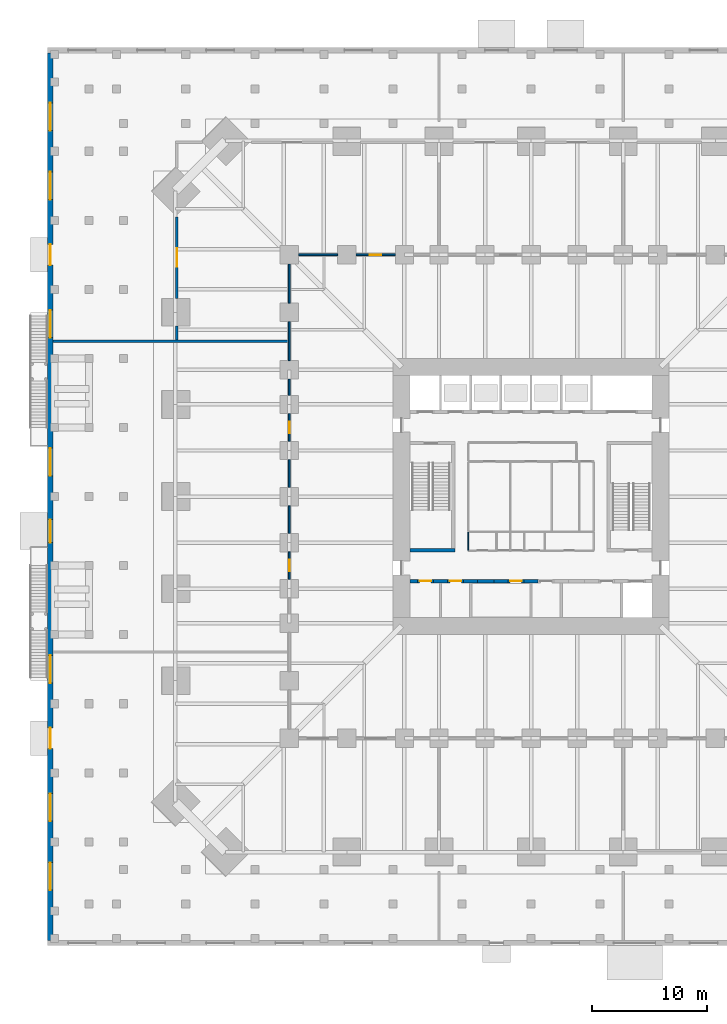
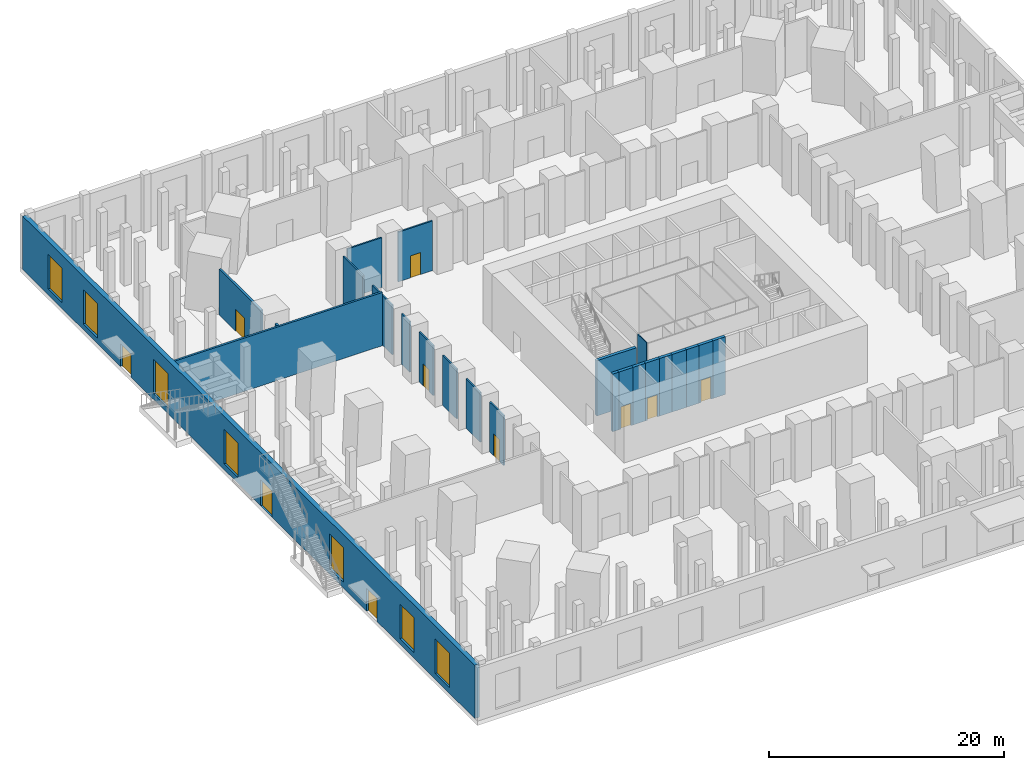
# One storey, part 13 of 20: 24 walls, 10 doors, 7 windows, 17 openings.
"""IFC4 building model written with IfcOpenShell, lengths in metres."""

from ifc_helpers import new_model, si_unit, direction, frame, frame_2d, origin, place, context, subcontext, project, spatial, rectangle, extrude, material, layer, layer_set, type_object, element, fill, save


model = new_model("IFC4")

# Units and contexts
model_context = context("Model", 3, precision=1e-05, world=origin(), true_north=direction((0.0, 1.0)))
body_context = subcontext(model_context, "Body", "Model", "MODEL_VIEW")
ifc_project = project(units=[si_unit("LENGTHUNIT", "METRE"), si_unit("AREAUNIT", "SQUARE_METRE"), si_unit("VOLUMEUNIT", "CUBIC_METRE"), si_unit("PLANEANGLEUNIT", "RADIAN"), si_unit("MASSUNIT", "GRAM", prefix="KILO")], contexts=[model_context])

# Site, building, storey
site_placement = place(None, origin())
site = spatial("IfcSite", under=ifc_project, at=site_placement, CompositionType="ELEMENT")
building_placement = place(site_placement, origin())
building = spatial("IfcBuilding", under=site, at=building_placement, Name="Peilmerk Tower", CompositionType="ELEMENT")
storey_placement = place(building_placement, origin())
storey = spatial("IfcBuildingStorey", under=building, at=storey_placement, Name="L00", CompositionType="ELEMENT", Elevation=0.0)

# Wall, openings, doors, windows
ifc_material_1 = material(Name="Precast concrete C45/55, board-marked finish", Category="concrete")
ifc_layer_1 = layer(ifc_material_1, 0.449951171875)
ifc_layer_set_1 = layer_set([ifc_layer_1], Name="Precast concrete C45/55, board-marked finish")
wall_type_1 = type_object("IfcWallType", Name="EW1 450 precast concrete facade wall, board-marked", PredefinedType="SOLIDWALL", material=ifc_layer_set_1)
wall_1_placement = place(storey_placement, frame((-41.77490234375, -38.550048828125, 0.0), z_axis=(0.0, 0.0, 1.0), x_axis=(0.0, 1.0, 0.0)))
wall_1 = element("IfcWall", 1, at=wall_1_placement, inside=storey, type_object=wall_type_1, Name="Facade wall W L00", PredefinedType="SOLIDWALL", context=body_context, shape_type="SweptSolid", body=[
    extrude(rectangle(XDim=77.10009765625, YDim=0.449951171875, at=frame_2d((38.550048828125, 0.0))), origin(), (0.0, 0.0, 1.0), 5.550048828125),
])
opening_1_placement = place(wall_1_placement, frame((4.35009765625, 0.0, 0.60009765625)))
opening_1 = element("IfcOpeningElement", 2, at=opening_1_placement, cuts=wall_1, Name="Opening W4", PredefinedType="OPENING", context=body_context, shape_type="SweptSolid", body=[
    extrude(rectangle(XDim=2.39990234375, YDim=3.60009765625, at=frame_2d((1.199951171875, 1.800048828125))), frame((0.0, 0.23486328125, 0.0), z_axis=(0.0, -1.0, 0.0), x_axis=(1.0, 0.0, 0.0)), (0.0, 0.0, 1.0), 0.469970703125),
])
opening_2_placement = place(wall_1_placement, frame((10.35009765625, 0.0, 0.60009765625)))
opening_2 = element("IfcOpeningElement", 3, at=opening_2_placement, cuts=wall_1, Name="Opening W4", PredefinedType="OPENING", context=body_context, shape_type="SweptSolid", body=[
    extrude(rectangle(XDim=2.39990234375, YDim=3.60009765625, at=frame_2d((1.199951171875, 1.800048828125))), frame((0.0, 0.23486328125, 0.0), z_axis=(0.0, -1.0, 0.0), x_axis=(1.0, 0.0, 0.0)), (0.0, 0.0, 1.0), 0.469970703125),
])
opening_3_placement = place(wall_1_placement, frame((22.35009765625, 0.0, 0.60009765625)))
opening_3 = element("IfcOpeningElement", 4, at=opening_3_placement, cuts=wall_1, Name="Opening W4", PredefinedType="OPENING", context=body_context, shape_type="SweptSolid", body=[
    extrude(rectangle(XDim=2.39990234375, YDim=3.60009765625, at=frame_2d((1.199951171875, 1.800048828125))), frame((0.0, 0.23486328125, 0.0), z_axis=(0.0, -1.0, 0.0), x_axis=(1.0, 0.0, 0.0)), (0.0, 0.0, 1.0), 0.469970703125),
])
opening_4_placement = place(wall_1_placement, frame((40.35009765625, 0.0, 0.60009765625)))
opening_4 = element("IfcOpeningElement", 5, at=opening_4_placement, cuts=wall_1, Name="Opening W4", PredefinedType="OPENING", context=body_context, shape_type="SweptSolid", body=[
    extrude(rectangle(XDim=2.39990234375, YDim=3.60009765625, at=frame_2d((1.199951171875, 1.800048828125))), frame((0.0, 0.23486328125, 0.0), z_axis=(0.0, -1.0, 0.0), x_axis=(1.0, 0.0, 0.0)), (0.0, 0.0, 1.0), 0.469970703125),
])
opening_5_placement = place(wall_1_placement, frame((52.35009765625, 0.0, 0.60009765625)))
opening_5 = element("IfcOpeningElement", 6, at=opening_5_placement, cuts=wall_1, Name="Opening W4", PredefinedType="OPENING", context=body_context, shape_type="SweptSolid", body=[
    extrude(rectangle(XDim=2.39990234375, YDim=3.60009765625, at=frame_2d((1.199951171875, 1.800048828125))), frame((0.0, 0.23486328125, 0.0), z_axis=(0.0, -1.0, 0.0), x_axis=(1.0, 0.0, 0.0)), (0.0, 0.0, 1.0), 0.469970703125),
])
opening_6_placement = place(wall_1_placement, frame((64.35009765625, 0.0, 0.60009765625)))
opening_6 = element("IfcOpeningElement", 7, at=opening_6_placement, cuts=wall_1, Name="Opening W4", PredefinedType="OPENING", context=body_context, shape_type="SweptSolid", body=[
    extrude(rectangle(XDim=2.39990234375, YDim=3.60009765625, at=frame_2d((1.199951171875, 1.800048828125))), frame((0.0, 0.23486328125, 0.0), z_axis=(0.0, -1.0, 0.0), x_axis=(1.0, 0.0, 0.0)), (0.0, 0.0, 1.0), 0.469970703125),
])
opening_7_placement = place(wall_1_placement, frame((70.35009765625, 0.0, 0.60009765625)))
opening_7 = element("IfcOpeningElement", 8, at=opening_7_placement, cuts=wall_1, Name="Opening W4", PredefinedType="OPENING", context=body_context, shape_type="SweptSolid", body=[
    extrude(rectangle(XDim=2.39990234375, YDim=3.60009765625, at=frame_2d((1.199951171875, 1.800048828125))), frame((0.0, 0.23486328125, 0.0), z_axis=(0.0, -1.0, 0.0), x_axis=(1.0, 0.0, 0.0)), (0.0, 0.0, 1.0), 0.469970703125),
])
opening_8_placement = place(wall_1_placement, frame((16.64990234375, 0.0, 0.0)))
opening_8 = element("IfcOpeningElement", 9, at=opening_8_placement, cuts=wall_1, Name="Opening ED5", PredefinedType="OPENING", context=body_context, shape_type="SweptSolid", body=[
    extrude(rectangle(XDim=1.800048828125, YDim=2.39990234375, at=frame_2d((0.89990234375, 1.199951171875))), frame((0.0, 0.23486328125, 0.0), z_axis=(0.0, -1.0, 0.0), x_axis=(1.0, 0.0, 0.0)), (0.0, 0.0, 1.0), 0.469970703125),
])
opening_9_placement = place(wall_1_placement, frame((34.550048828125, 0.0, 0.0)))
opening_9 = element("IfcOpeningElement", 10, at=opening_9_placement, cuts=wall_1, Name="Opening ED1", PredefinedType="OPENING", context=body_context, shape_type="SweptSolid", body=[
    extrude(rectangle(XDim=2.0, YDim=2.699951171875, at=frame_2d((1.0, 1.35009765625))), frame((0.0, 0.23486328125, 0.0), z_axis=(0.0, -1.0, 0.0), x_axis=(1.0, 0.0, 0.0)), (0.0, 0.0, 1.0), 0.469970703125),
])
opening_10_placement = place(wall_1_placement, frame((58.64990234375, 0.0, 0.0)))
opening_10 = element("IfcOpeningElement", 11, at=opening_10_placement, cuts=wall_1, Name="Opening ED5", PredefinedType="OPENING", context=body_context, shape_type="SweptSolid", body=[
    extrude(rectangle(XDim=1.800048828125, YDim=2.39990234375, at=frame_2d((0.89990234375, 1.199951171875))), frame((0.0, 0.23486328125, 0.0), z_axis=(0.0, -1.0, 0.0), x_axis=(1.0, 0.0, 0.0)), (0.0, 0.0, 1.0), 0.469970703125),
])
ifc_material_2 = material(Name="Aluminium frame, clear glazing", Category="aluminium")
door_type_1 = type_object("IfcDoorType", Name="ED1 2000x2700 entrance door pair, glazed", OperationType="DOUBLE_DOOR_DOUBLE_SWING", PredefinedType="DOOR", material=ifc_material_2)
door_1_placement = place(opening_9_placement, origin())
door_1 = element("IfcDoor", 12, at=door_1_placement, inside=storey, type_object=door_type_1, Name="Entrance door pair, glazed L00", OperationType="DOUBLE_DOOR_DOUBLE_SWING", OverallHeight=2.699951171875, OverallWidth=2.0, PredefinedType="DOOR", context=body_context, shape_type="SweptSolid", body=[
    extrude(rectangle(XDim=2.0, YDim=2.699951171875, at=frame_2d((1.0, 1.35009765625))), frame((0.0, 0.02490234375, 0.0), z_axis=(0.0, -1.0, 0.0), x_axis=(1.0, 0.0, 0.0)), (0.0, 0.0, 1.0), 0.050048828125),
])
fill(opening_9, door_1)
ifc_material_3 = material(Name="Steel door", Category="steel")
door_type_2 = type_object("IfcDoorType", Name="ED5 1800x2400 external exit door pair", OperationType="DOUBLE_DOOR_SINGLE_SWING", PredefinedType="DOOR", material=ifc_material_3)
door_2_placement = place(opening_8_placement, origin())
door_2 = element("IfcDoor", 13, at=door_2_placement, inside=storey, type_object=door_type_2, Name="External exit door pair L00", OperationType="DOUBLE_DOOR_SINGLE_SWING", OverallHeight=2.39990234375, OverallWidth=1.800048828125, PredefinedType="DOOR", context=body_context, shape_type="SweptSolid", body=[
    extrude(rectangle(XDim=1.800048828125, YDim=2.39990234375, at=frame_2d((0.89990234375, 1.199951171875))), frame((0.0, 0.02490234375, 0.0), z_axis=(0.0, -1.0, 0.0), x_axis=(1.0, 0.0, 0.0)), (0.0, 0.0, 1.0), 0.050048828125),
])
fill(opening_8, door_2)
door_3_placement = place(opening_10_placement, origin())
door_3 = element("IfcDoor", 14, at=door_3_placement, inside=storey, type_object=door_type_2, Name="External exit door pair L00", OperationType="DOUBLE_DOOR_SINGLE_SWING", OverallHeight=2.39990234375, OverallWidth=1.800048828125, PredefinedType="DOOR", context=body_context, shape_type="SweptSolid", body=[
    extrude(rectangle(XDim=1.800048828125, YDim=2.39990234375, at=frame_2d((0.89990234375, 1.199951171875))), frame((0.0, 0.02490234375, 0.0), z_axis=(0.0, -1.0, 0.0), x_axis=(1.0, 0.0, 0.0)), (0.0, 0.0, 1.0), 0.050048828125),
])
fill(opening_10, door_3)
ifc_material_4 = material(Name="Aluminium frame, clear double glazing", Category="aluminium")
window_type = type_object("IfcWindowType", Name="W4 2400x3600 podium entrance glazing", PartitioningType="SINGLE_PANEL", PredefinedType="WINDOW", material=ifc_material_4)
window_1_placement = place(opening_1_placement, origin())
window_1 = element("IfcWindow", 15, at=window_1_placement, inside=storey, type_object=window_type, Name="Window W4 L00", OverallHeight=3.60009765625, OverallWidth=2.39990234375, PartitioningType="SINGLE_PANEL", PredefinedType="WINDOW", context=body_context, shape_type="SweptSolid", body=[
    extrude(rectangle(XDim=2.39990234375, YDim=3.60009765625, at=frame_2d((1.199951171875, 1.800048828125))), frame((0.0, 0.030029296875, 0.0), z_axis=(0.0, -1.0, 0.0), x_axis=(1.0, 0.0, 0.0)), (0.0, 0.0, 1.0), 0.06005859375),
])
fill(opening_1, window_1)
window_2_placement = place(opening_2_placement, origin())
window_2 = element("IfcWindow", 16, at=window_2_placement, inside=storey, type_object=window_type, Name="Window W4 L00", OverallHeight=3.60009765625, OverallWidth=2.39990234375, PartitioningType="SINGLE_PANEL", PredefinedType="WINDOW", context=body_context, shape_type="SweptSolid", body=[
    extrude(rectangle(XDim=2.39990234375, YDim=3.60009765625, at=frame_2d((1.199951171875, 1.800048828125))), frame((0.0, 0.030029296875, 0.0), z_axis=(0.0, -1.0, 0.0), x_axis=(1.0, 0.0, 0.0)), (0.0, 0.0, 1.0), 0.06005859375),
])
fill(opening_2, window_2)
window_3_placement = place(opening_3_placement, origin())
window_3 = element("IfcWindow", 17, at=window_3_placement, inside=storey, type_object=window_type, Name="Window W4 L00", OverallHeight=3.60009765625, OverallWidth=2.39990234375, PartitioningType="SINGLE_PANEL", PredefinedType="WINDOW", context=body_context, shape_type="SweptSolid", body=[
    extrude(rectangle(XDim=2.39990234375, YDim=3.60009765625, at=frame_2d((1.199951171875, 1.800048828125))), frame((0.0, 0.030029296875, 0.0), z_axis=(0.0, -1.0, 0.0), x_axis=(1.0, 0.0, 0.0)), (0.0, 0.0, 1.0), 0.06005859375),
])
fill(opening_3, window_3)
window_4_placement = place(opening_4_placement, origin())
window_4 = element("IfcWindow", 18, at=window_4_placement, inside=storey, type_object=window_type, Name="Window W4 L00", OverallHeight=3.60009765625, OverallWidth=2.39990234375, PartitioningType="SINGLE_PANEL", PredefinedType="WINDOW", context=body_context, shape_type="SweptSolid", body=[
    extrude(rectangle(XDim=2.39990234375, YDim=3.60009765625, at=frame_2d((1.199951171875, 1.800048828125))), frame((0.0, 0.030029296875, 0.0), z_axis=(0.0, -1.0, 0.0), x_axis=(1.0, 0.0, 0.0)), (0.0, 0.0, 1.0), 0.06005859375),
])
fill(opening_4, window_4)
window_5_placement = place(opening_5_placement, origin())
window_5 = element("IfcWindow", 19, at=window_5_placement, inside=storey, type_object=window_type, Name="Window W4 L00", OverallHeight=3.60009765625, OverallWidth=2.39990234375, PartitioningType="SINGLE_PANEL", PredefinedType="WINDOW", context=body_context, shape_type="SweptSolid", body=[
    extrude(rectangle(XDim=2.39990234375, YDim=3.60009765625, at=frame_2d((1.199951171875, 1.800048828125))), frame((0.0, 0.030029296875, 0.0), z_axis=(0.0, -1.0, 0.0), x_axis=(1.0, 0.0, 0.0)), (0.0, 0.0, 1.0), 0.06005859375),
])
fill(opening_5, window_5)
window_6_placement = place(opening_6_placement, origin())
window_6 = element("IfcWindow", 20, at=window_6_placement, inside=storey, type_object=window_type, Name="Window W4 L00", OverallHeight=3.60009765625, OverallWidth=2.39990234375, PartitioningType="SINGLE_PANEL", PredefinedType="WINDOW", context=body_context, shape_type="SweptSolid", body=[
    extrude(rectangle(XDim=2.39990234375, YDim=3.60009765625, at=frame_2d((1.199951171875, 1.800048828125))), frame((0.0, 0.030029296875, 0.0), z_axis=(0.0, -1.0, 0.0), x_axis=(1.0, 0.0, 0.0)), (0.0, 0.0, 1.0), 0.06005859375),
])
fill(opening_6, window_6)
window_7_placement = place(opening_7_placement, origin())
window_7 = element("IfcWindow", 21, at=window_7_placement, inside=storey, type_object=window_type, Name="Window W4 L00", OverallHeight=3.60009765625, OverallWidth=2.39990234375, PartitioningType="SINGLE_PANEL", PredefinedType="WINDOW", context=body_context, shape_type="SweptSolid", body=[
    extrude(rectangle(XDim=2.39990234375, YDim=3.60009765625, at=frame_2d((1.199951171875, 1.800048828125))), frame((0.0, 0.030029296875, 0.0), z_axis=(0.0, -1.0, 0.0), x_axis=(1.0, 0.0, 0.0)), (0.0, 0.0, 1.0), 0.06005859375),
])
fill(opening_7, window_7)

# Wall
ifc_material_5 = material(Name="Calcium silicate block", Category="masonry")
ifc_layer_2 = layer(ifc_material_5, 0.14990234375)
ifc_layer_set_2 = layer_set([ifc_layer_2], Name="Calcium silicate block")
wall_type_2 = type_object("IfcWallType", Name="IW1 150 corridor partition, EI 60", PredefinedType="PARTITIONING", material=ifc_layer_set_2)
wall_2_placement = place(storey_placement, frame((-20.199951171875, 21.0, 0.0), z_axis=(0.0, 0.0, 1.0), x_axis=(1.0, 0.0, 0.0)))
element("IfcWall", 22, at=wall_2_placement, inside=storey, type_object=wall_type_2, Name="Corridor wall N L00", PredefinedType="PARTITIONING", context=body_context, shape_type="SweptSolid", body=[
    extrude(rectangle(XDim=3.39990234375, YDim=0.14990234375, at=frame_2d((1.699951171875, 0.0))), origin(), (0.0, 0.0, 1.0), 5.179931640625),
])

# Wall, opening, door
wall_3_placement = place(storey_placement, frame((-15.199951171875, 21.0, 0.0), z_axis=(0.0, 0.0, 1.0), x_axis=(1.0, 0.0, 0.0)))
wall_3 = element("IfcWall", 23, at=wall_3_placement, inside=storey, type_object=wall_type_2, Name="Corridor wall Nb L00", PredefinedType="PARTITIONING", context=body_context, shape_type="SweptSolid", body=[
    extrude(rectangle(XDim=3.39990234375, YDim=0.14990234375, at=frame_2d((1.699951171875, 0.0))), origin(), (0.0, 0.0, 1.0), 5.179931640625),
])
opening_11_placement = place(wall_3_placement, frame((1.199951171875, 0.0, 0.0)))
opening_11 = element("IfcOpeningElement", 24, at=opening_11_placement, cuts=wall_3, Name="Opening D1", PredefinedType="OPENING", context=body_context, shape_type="SweptSolid", body=[
    extrude(rectangle(XDim=1.0, YDim=2.300048828125, at=frame_2d((0.5, 1.14990234375))), frame((0.0, 0.0849609375, 0.0), z_axis=(0.0, -1.0, 0.0), x_axis=(1.0, 0.0, 0.0)), (0.0, 0.0, 1.0), 0.169921875),
])
ifc_material_6 = material(Name="Timber door in steel frame", Category="steel")
door_type_3 = type_object("IfcDoorType", Name="D1 1000x2300 room door, EI2 30", OperationType="SINGLE_SWING_LEFT", PredefinedType="DOOR", material=ifc_material_6)
door_4_placement = place(opening_11_placement, origin())
door_4 = element("IfcDoor", 25, at=door_4_placement, inside=storey, type_object=door_type_3, Name="Door Exhibition room L00", OperationType="SINGLE_SWING_LEFT", OverallHeight=2.300048828125, OverallWidth=1.0, PredefinedType="DOOR", context=body_context, shape_type="SweptSolid", body=[
    extrude(rectangle(XDim=1.0, YDim=2.300048828125, at=frame_2d((0.5, 1.14990234375))), frame((0.0, 0.02490234375, 0.0), z_axis=(0.0, -1.0, 0.0), x_axis=(1.0, 0.0, 0.0)), (0.0, 0.0, 1.0), 0.050048828125),
])
fill(opening_11, door_4)

# Walls
for number, where, z_axis, x_axis, name in (
    (26, (-21.0, 20.199951171875, 0.0), (0.0, 0.0, 1.0), (0.0, -1.0, 0.0), "Corridor wall W L00"),
    (27, (-21.0, 15.199951171875, 0.0), (0.0, 0.0, 1.0), (0.0, -1.0, 0.0), "Corridor wall Wb L00"),
):
    element("IfcWall", number, at=place(storey_placement, frame(where, z_axis=z_axis, x_axis=x_axis)), inside=storey, type_object=wall_type_2, Name=name, PredefinedType="PARTITIONING", context=body_context, shape_type="SweptSolid", body=[
        extrude(rectangle(XDim=3.39990234375, YDim=0.14990234375, at=frame_2d((1.699951171875, 0.0))), origin(), (0.0, 0.0, 1.0), 5.179931640625),
    ])
wall_4_placement = place(storey_placement, frame((-21.0, 10.199951171875, 0.0), z_axis=(0.0, 0.0, 1.0), x_axis=(0.0, -1.0, 0.0)))
element("IfcWall", 28, at=wall_4_placement, inside=storey, type_object=wall_type_2, Name="Corridor wall Wc L00", PredefinedType="PARTITIONING", context=body_context, shape_type="SweptSolid", body=[
    extrude(rectangle(XDim=1.39990234375, YDim=0.14990234375, at=frame_2d((0.699951171875, 0.0))), origin(), (0.0, 0.0, 1.0), 5.27587890625),
])

# Wall, opening, door
wall_5_placement = place(storey_placement, frame((-21.0, 7.199951171875, 0.0), z_axis=(0.0, 0.0, 1.0), x_axis=(0.0, -1.0, 0.0)))
wall_5 = element("IfcWall", 29, at=wall_5_placement, inside=storey, type_object=wall_type_2, Name="Corridor wall Wd L00", PredefinedType="PARTITIONING", context=body_context, shape_type="SweptSolid", body=[
    extrude(rectangle(XDim=2.39990234375, YDim=0.14990234375, at=frame_2d((1.199951171875, 0.0))), origin(), (0.0, 0.0, 1.0), 5.179931640625),
])
opening_12_placement = place(wall_5_placement, frame((0.699951171875, 0.0, 0.0)))
opening_12 = element("IfcOpeningElement", 30, at=opening_12_placement, cuts=wall_5, Name="Opening D1", PredefinedType="OPENING", context=body_context, shape_type="SweptSolid", body=[
    extrude(rectangle(XDim=1.0, YDim=2.300048828125, at=frame_2d((0.5, 1.14990234375))), frame((0.0, 0.0849609375, 0.0), z_axis=(0.0, -1.0, 0.0), x_axis=(1.0, 0.0, 0.0)), (0.0, 0.0, 1.0), 0.169921875),
])
door_5_placement = place(opening_12_placement, frame((1.0, 0.0, 0.0), z_axis=(0.0, 0.0, 1.0), x_axis=(-1.0, 0.0, 0.0)))
door_5 = element("IfcDoor", 31, at=door_5_placement, inside=storey, type_object=door_type_3, Name="Door Business lounge L00", OperationType="SINGLE_SWING_LEFT", OverallHeight=2.300048828125, OverallWidth=1.0, PredefinedType="DOOR", context=body_context, shape_type="SweptSolid", body=[
    extrude(rectangle(XDim=1.0, YDim=2.300048828125, at=frame_2d((0.5, 1.14990234375))), frame((0.0, 0.02490234375, 0.0), z_axis=(0.0, -1.0, 0.0), x_axis=(1.0, 0.0, 0.0)), (0.0, 0.0, 1.0), 0.050048828125),
])
fill(opening_12, door_5)

# Walls
for number, where, z_axis, x_axis, name in (
    (32, (-21.0, 3.199951171875, 0.0), (0.0, 0.0, 1.0), (0.0, -1.0, 0.0), "Corridor wall We L00"),
    (33, (-21.0, -0.800048828125, 0.0), (0.0, 0.0, 1.0), (0.0, -1.0, 0.0), "Corridor wall Wf L00"),
):
    element("IfcWall", number, at=place(storey_placement, frame(where, z_axis=z_axis, x_axis=x_axis)), inside=storey, type_object=wall_type_2, Name=name, PredefinedType="PARTITIONING", context=body_context, shape_type="SweptSolid", body=[
        extrude(rectangle(XDim=2.39990234375, YDim=0.14990234375, at=frame_2d((1.199951171875, 0.0))), origin(), (0.0, 0.0, 1.0), 5.179931640625),
    ])

# Wall, opening, door
wall_6_placement = place(storey_placement, frame((-21.0, -4.800048828125, 0.0), z_axis=(0.0, 0.0, 1.0), x_axis=(0.0, -1.0, 0.0)))
wall_6 = element("IfcWall", 34, at=wall_6_placement, inside=storey, type_object=wall_type_2, Name="Corridor wall Wg L00", PredefinedType="PARTITIONING", context=body_context, shape_type="SweptSolid", body=[
    extrude(rectangle(XDim=2.39990234375, YDim=0.14990234375, at=frame_2d((1.199951171875, 0.0))), origin(), (0.0, 0.0, 1.0), 5.179931640625),
])
opening_13_placement = place(wall_6_placement, frame((0.699951171875, 0.0, 0.0)))
opening_13 = element("IfcOpeningElement", 35, at=opening_13_placement, cuts=wall_6, Name="Opening D1", PredefinedType="OPENING", context=body_context, shape_type="SweptSolid", body=[
    extrude(rectangle(XDim=1.0, YDim=2.300048828125, at=frame_2d((0.5, 1.14990234375))), frame((0.0, 0.0849609375, 0.0), z_axis=(0.0, -1.0, 0.0), x_axis=(1.0, 0.0, 0.0)), (0.0, 0.0, 1.0), 0.169921875),
])
door_6_placement = place(opening_13_placement, frame((1.0, 0.0, 0.0), z_axis=(0.0, 0.0, 1.0), x_axis=(-1.0, 0.0, 0.0)))
door_6 = element("IfcDoor", 36, at=door_6_placement, inside=storey, type_object=door_type_3, Name="Door Business lounge L00", OperationType="SINGLE_SWING_LEFT", OverallHeight=2.300048828125, OverallWidth=1.0, PredefinedType="DOOR", context=body_context, shape_type="SweptSolid", body=[
    extrude(rectangle(XDim=1.0, YDim=2.300048828125, at=frame_2d((0.5, 1.14990234375))), frame((0.0, 0.02490234375, 0.0), z_axis=(0.0, -1.0, 0.0), x_axis=(1.0, 0.0, 0.0)), (0.0, 0.0, 1.0), 0.050048828125),
])
fill(opening_13, door_6)

# Walls
ifc_layer_3 = layer(ifc_material_5, 0.199951171875)
ifc_layer_set_3 = layer_set([ifc_layer_3], Name="Calcium silicate block")
wall_type_3 = type_object("IfcWallType", Name="IW2 200 room separating wall, EI 120", PredefinedType="PARTITIONING", material=ifc_layer_set_3)
wall_7_placement = place(storey_placement, frame((-41.550048828125, 13.5, 0.0), z_axis=(0.0, 0.0, 1.0), x_axis=(1.0, 0.0, 0.0)))
element("IfcWall", 37, at=wall_7_placement, inside=storey, type_object=wall_type_3, Name="Room separating wall NW L00", PredefinedType="PARTITIONING", context=body_context, shape_type="SweptSolid", body=[
    extrude(rectangle(XDim=20.47509765625, YDim=0.199951171875, at=frame_2d((10.237548828125, 0.0))), origin(), (0.0, 0.0, 1.0), 5.550048828125),
])
wall_8_placement = place(storey_placement, frame((-30.77587890625, 13.60009765625, 0.0), z_axis=(0.0, 0.0, 1.0), x_axis=(0.0, 1.0, 0.0)))
element("IfcWall", 38, at=wall_8_placement, inside=storey, type_object=wall_type_3, Name="Room separating wall N1X000 L00", PredefinedType="PARTITIONING", context=body_context, shape_type="SweptSolid", body=[
    extrude(rectangle(XDim=1.199951171875, YDim=0.199951171875, at=frame_2d((0.60009765625, 0.0))), origin(), (0.0, 0.0, 1.0), 4.889892578125),
])

# Wall, opening, door
wall_9_placement = place(storey_placement, frame((-30.77587890625, 17.199951171875, 0.0), z_axis=(0.0, 0.0, 1.0), x_axis=(0.0, 1.0, 0.0)))
wall_9 = element("IfcWall", 39, at=wall_9_placement, inside=storey, type_object=wall_type_3, Name="Room separating wall N1X001 L00", PredefinedType="PARTITIONING", context=body_context, shape_type="SweptSolid", body=[
    extrude(rectangle(XDim=7.1044921875, YDim=0.199951171875, at=frame_2d((3.55224609375, 0.0))), origin(), (0.0, 0.0, 1.0), 4.800048828125),
])
opening_14_placement = place(wall_9_placement, frame((2.752197265625, 0.0, 0.0)))
opening_14 = element("IfcOpeningElement", 40, at=opening_14_placement, cuts=wall_9, Name="Opening D9", PredefinedType="OPENING", context=body_context, shape_type="SweptSolid", body=[
    extrude(rectangle(XDim=1.60009765625, YDim=2.300048828125, at=frame_2d((0.800048828125, 1.14990234375))), frame((0.0, 0.10986328125, 0.0), z_axis=(0.0, -1.0, 0.0), x_axis=(1.0, 0.0, 0.0)), (0.0, 0.0, 1.0), 0.219970703125),
])
ifc_material_7 = material(Name="Glazed timber door in steel frame", Category="steel")
door_type_4 = type_object("IfcDoorType", Name="D9 1600x2300 glazed double door, EI2 30", OperationType="DOUBLE_DOOR_SINGLE_SWING", PredefinedType="DOOR", material=ifc_material_7)
door_7_placement = place(opening_14_placement, origin())
door_7 = element("IfcDoor", 41, at=door_7_placement, inside=storey, type_object=door_type_4, Name="Door Colonnade walkway L00", OperationType="DOUBLE_DOOR_SINGLE_SWING", OverallHeight=2.300048828125, OverallWidth=1.60009765625, PredefinedType="DOOR", context=body_context, shape_type="SweptSolid", body=[
    extrude(rectangle(XDim=1.60009765625, YDim=2.300048828125, at=frame_2d((0.800048828125, 1.14990234375))), frame((0.0, 0.02490234375, 0.0), z_axis=(0.0, -1.0, 0.0), x_axis=(1.0, 0.0, 0.0)), (0.0, 0.0, 1.0), 0.050048828125),
])
fill(opening_14, door_7)

# Walls
ifc_material_8 = material(Name="Concrete C35/45", Category="concrete")
ifc_layer_4 = layer(ifc_material_8, 0.300048828125)
ifc_layer_set_4 = layer_set([ifc_layer_4], Name="Concrete C35/45")
wall_type_4 = type_object("IfcWallType", Name="IW3 300 concrete stair enclosure wall, EI 120", PredefinedType="SOLIDWALL", material=ifc_layer_set_4)
wall_10_placement = place(storey_placement, frame((-6.60009765625, -4.64990234375, 0.0), z_axis=(0.0, 0.0, 1.0), x_axis=(-1.0, 0.0, 0.0)))
element("IfcWall", 42, at=wall_10_placement, inside=storey, type_object=wall_type_4, Name="Stair 1 enclosure L00", PredefinedType="SOLIDWALL", context=body_context, shape_type="SweptSolid", body=[
    extrude(rectangle(XDim=3.89990234375, YDim=0.300048828125, at=frame_2d((1.949951171875, 0.0))), origin(), (0.0, 0.0, 1.0), 5.75),
])
ifc_material_9 = material(Name="Calcium silicate board on steel studs", Category="steel")
ifc_layer_5 = layer(ifc_material_9, 0.10009765625)
ifc_layer_set_5 = layer_set([ifc_layer_5], Name="Calcium silicate board on steel studs")
wall_type_5 = type_object("IfcWallType", Name="IW5 100 riser enclosure wall, EI 60", PredefinedType="PARTITIONING", material=ifc_layer_set_5)
wall_11_placement = place(storey_placement, frame((-5.449951171875, -3.10009765625, 0.0), z_axis=(0.0, 0.0, 1.0), x_axis=(0.0, -1.0, 0.0)))
element("IfcWall", 43, at=wall_11_placement, inside=storey, type_object=wall_type_5, Name="Riser wall L00", PredefinedType="PARTITIONING", context=body_context, shape_type="SweptSolid", body=[
    extrude(rectangle(XDim=1.5498046875, YDim=0.10009765625, at=frame_2d((0.77490234375, 0.0))), origin(), (0.0, 0.0, 1.0), 5.75),
])

# Wall, opening, door
ifc_layer_6 = layer(ifc_material_5, 0.300048828125)
ifc_layer_set_6 = layer_set([ifc_layer_6], Name="Calcium silicate block")
wall_type_6 = type_object("IfcWallType", Name="SH2 300 lift landing door panel, EI 120", PredefinedType="PARTITIONING", material=ifc_layer_set_6)
wall_12_placement = place(storey_placement, frame((-9.887451171875, -7.35009765625, 0.0), z_axis=(0.0, 0.0, 1.0), x_axis=(1.0, 0.0, 0.0)))
wall_12 = element("IfcWall", 44, at=wall_12_placement, inside=storey, type_object=wall_type_6, Name="Lift door panel S C4 L00", PredefinedType="PARTITIONING", context=body_context, shape_type="SweptSolid", body=[
    extrude(rectangle(XDim=1.39990234375, YDim=0.300048828125, at=frame_2d((0.699951171875, 0.0))), origin(), (0.0, 0.0, 1.0), 6.0),
])
opening_15_placement = place(wall_12_placement, frame((0.199951171875, 0.0, 0.0)))
opening_15 = element("IfcOpeningElement", 45, at=opening_15_placement, cuts=wall_12, Name="Opening D10", PredefinedType="OPENING", context=body_context, shape_type="SweptSolid", body=[
    extrude(rectangle(XDim=1.0, YDim=2.300048828125, at=frame_2d((0.5, 1.14990234375))), frame((0.0, 0.159912109375, 0.0), z_axis=(0.0, -1.0, 0.0), x_axis=(1.0, 0.0, 0.0)), (0.0, 0.0, 1.0), 0.320068359375),
])
ifc_material_10 = material(Name="Steel door in steel frame", Category="steel")
door_type_5 = type_object("IfcDoorType", Name="D10 1000x2300 core room door, EI2 60", OperationType="SINGLE_SWING_RIGHT", PredefinedType="DOOR", material=ifc_material_10)
door_8_placement = place(opening_15_placement, frame((1.0, 0.0, 0.0), z_axis=(0.0, 0.0, 1.0), x_axis=(-1.0, 0.0, 0.0)))
door_8 = element("IfcDoor", 46, at=door_8_placement, inside=storey, type_object=door_type_5, Name="Door Water meter room L00", OperationType="SINGLE_SWING_RIGHT", OverallHeight=2.300048828125, OverallWidth=1.0, PredefinedType="DOOR", context=body_context, shape_type="SweptSolid", body=[
    extrude(rectangle(XDim=1.0, YDim=2.300048828125, at=frame_2d((0.5, 1.14990234375))), frame((0.0, 0.02490234375, 0.0), z_axis=(0.0, -1.0, 0.0), x_axis=(1.0, 0.0, 0.0)), (0.0, 0.0, 1.0), 0.050048828125),
])
fill(opening_15, door_8)

wall_13_placement = place(storey_placement, frame((-7.262451171875, -7.35009765625, 0.0), z_axis=(0.0, 0.0, 1.0), x_axis=(1.0, 0.0, 0.0)))
wall_13 = element("IfcWall", 47, at=wall_13_placement, inside=storey, type_object=wall_type_6, Name="Lift door panel S C3 L00", PredefinedType="PARTITIONING", context=body_context, shape_type="SweptSolid", body=[
    extrude(rectangle(XDim=1.39990234375, YDim=0.300048828125, at=frame_2d((0.699951171875, 0.0))), origin(), (0.0, 0.0, 1.0), 6.0),
])
opening_16_placement = place(wall_13_placement, frame((0.199951171875, 0.0, 0.0)))
opening_16 = element("IfcOpeningElement", 48, at=opening_16_placement, cuts=wall_13, Name="Opening D10", PredefinedType="OPENING", context=body_context, shape_type="SweptSolid", body=[
    extrude(rectangle(XDim=1.0, YDim=2.300048828125, at=frame_2d((0.5, 1.14990234375))), frame((0.0, 0.159912109375, 0.0), z_axis=(0.0, -1.0, 0.0), x_axis=(1.0, 0.0, 0.0)), (0.0, 0.0, 1.0), 0.320068359375),
])
door_9_placement = place(opening_16_placement, frame((1.0, 0.0, 0.0), z_axis=(0.0, 0.0, 1.0), x_axis=(-1.0, 0.0, 0.0)))
door_9 = element("IfcDoor", 49, at=door_9_placement, inside=storey, type_object=door_type_5, Name="Door Staff WC L00", OperationType="SINGLE_SWING_RIGHT", OverallHeight=2.300048828125, OverallWidth=1.0, PredefinedType="DOOR", context=body_context, shape_type="SweptSolid", body=[
    extrude(rectangle(XDim=1.0, YDim=2.300048828125, at=frame_2d((0.5, 1.14990234375))), frame((0.0, 0.02490234375, 0.0), z_axis=(0.0, -1.0, 0.0), x_axis=(1.0, 0.0, 0.0)), (0.0, 0.0, 1.0), 0.050048828125),
])
fill(opening_16, door_9)

# Wall
wall_14_placement = place(storey_placement, frame((-4.637451171875, -7.35009765625, 0.0), z_axis=(0.0, 0.0, 1.0), x_axis=(1.0, 0.0, 0.0)))
element("IfcWall", 50, at=wall_14_placement, inside=storey, type_object=wall_type_6, Name="Lift door panel S C2 L00", PredefinedType="PARTITIONING", context=body_context, shape_type="SweptSolid", body=[
    extrude(rectangle(XDim=1.39990234375, YDim=0.300048828125, at=frame_2d((0.699951171875, 0.0))), origin(), (0.0, 0.0, 1.0), 6.0),
])

# Wall, opening, door
wall_15_placement = place(storey_placement, frame((-2.012451171875, -7.35009765625, 0.0), z_axis=(0.0, 0.0, 1.0), x_axis=(1.0, 0.0, 0.0)))
wall_15 = element("IfcWall", 51, at=wall_15_placement, inside=storey, type_object=wall_type_6, Name="Lift door panel S C1 L00", PredefinedType="PARTITIONING", context=body_context, shape_type="SweptSolid", body=[
    extrude(rectangle(XDim=1.39990234375, YDim=0.300048828125, at=frame_2d((0.699951171875, 0.0))), origin(), (0.0, 0.0, 1.0), 6.0),
])
opening_17_placement = place(wall_15_placement, frame((0.199951171875, 0.0, 0.0)))
opening_17 = element("IfcOpeningElement", 52, at=opening_17_placement, cuts=wall_15, Name="Opening D10", PredefinedType="OPENING", context=body_context, shape_type="SweptSolid", body=[
    extrude(rectangle(XDim=1.0, YDim=2.300048828125, at=frame_2d((0.5, 1.14990234375))), frame((0.0, 0.159912109375, 0.0), z_axis=(0.0, -1.0, 0.0), x_axis=(1.0, 0.0, 0.0)), (0.0, 0.0, 1.0), 0.320068359375),
])
door_10_placement = place(opening_17_placement, frame((1.0, 0.0, 0.0), z_axis=(0.0, 0.0, 1.0), x_axis=(-1.0, 0.0, 0.0)))
door_10 = element("IfcDoor", 53, at=door_10_placement, inside=storey, type_object=door_type_5, Name="Door Back-of-house office L00", OperationType="SINGLE_SWING_RIGHT", OverallHeight=2.300048828125, OverallWidth=1.0, PredefinedType="DOOR", context=body_context, shape_type="SweptSolid", body=[
    extrude(rectangle(XDim=1.0, YDim=2.300048828125, at=frame_2d((0.5, 1.14990234375))), frame((0.0, 0.02490234375, 0.0), z_axis=(0.0, -1.0, 0.0), x_axis=(1.0, 0.0, 0.0)), (0.0, 0.0, 1.0), 0.050048828125),
])
fill(opening_17, door_10)

# Walls
ifc_material_11 = material(Name="Concrete C55/67", Category="concrete")
ifc_layer_7 = layer(ifc_material_11, 0.300048828125)
ifc_layer_set_7 = layer_set([ifc_layer_7], Name="Concrete C55/67")
wall_type_7 = type_object("IfcWallType", Name="SW2 300 lift bank pier", PredefinedType="SHEAR", material=ifc_layer_set_7)
wall_16_placement = place(storey_placement, frame((-10.5, -7.35009765625, 0.0), z_axis=(0.0, 0.0, 1.0), x_axis=(1.0, 0.0, 0.0)))
element("IfcWall", 54, at=wall_16_placement, inside=storey, type_object=wall_type_7, Name="Lift bank pier S L00", PredefinedType="SHEAR", context=body_context, shape_type="SweptSolid", body=[
    extrude(rectangle(XDim=0.612548828125, YDim=0.300048828125, at=frame_2d((0.30615234375, 0.0))), origin(), (0.0, 0.0, 1.0), 6.0),
])
for number, where, z_axis, x_axis, name in (
    (55, (-8.487548828125, -7.35009765625, 0.0), (0.0, 0.0, 1.0), (1.0, 0.0, 0.0), "Lift bank pier S L00"),
    (56, (-5.862548828125, -7.35009765625, 0.0), (0.0, 0.0, 1.0), (1.0, 0.0, 0.0), "Lift bank pier S L00"),
    (57, (-3.237548828125, -7.35009765625, 0.0), (0.0, 0.0, 1.0), (1.0, 0.0, 0.0), "Lift bank pier S L00"),
    (58, (-0.612548828125, -7.35009765625, 0.0), (0.0, 0.0, 1.0), (1.0, 0.0, 0.0), "Lift bank pier S L00"),
):
    element("IfcWall", number, at=place(storey_placement, frame(where, z_axis=z_axis, x_axis=x_axis)), inside=storey, type_object=wall_type_7, Name=name, PredefinedType="SHEAR", context=body_context, shape_type="SweptSolid", body=[
        extrude(rectangle(XDim=1.22509765625, YDim=0.300048828125, at=frame_2d((0.612548828125, 0.0))), origin(), (0.0, 0.0, 1.0), 6.0),
    ])

save(model, "model.ifc")
